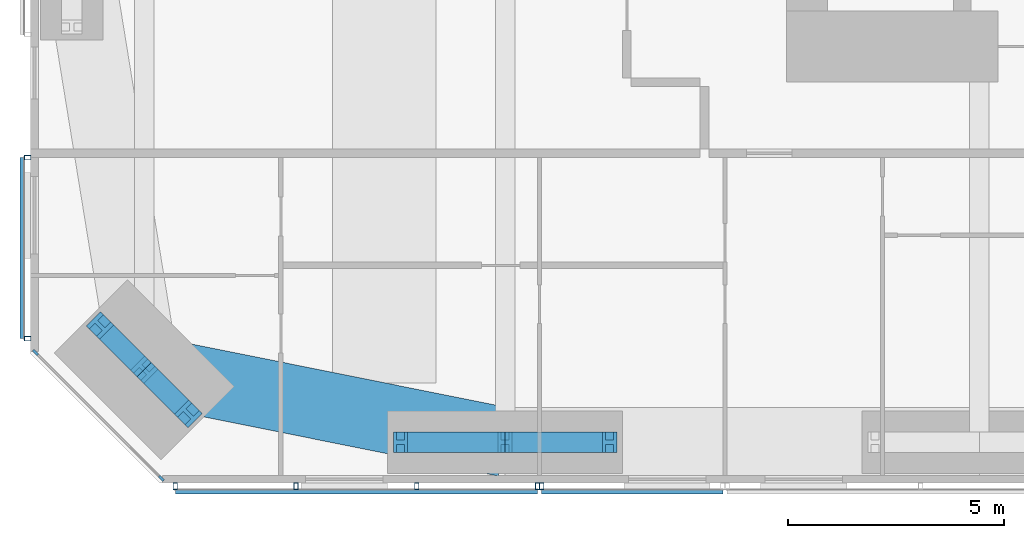
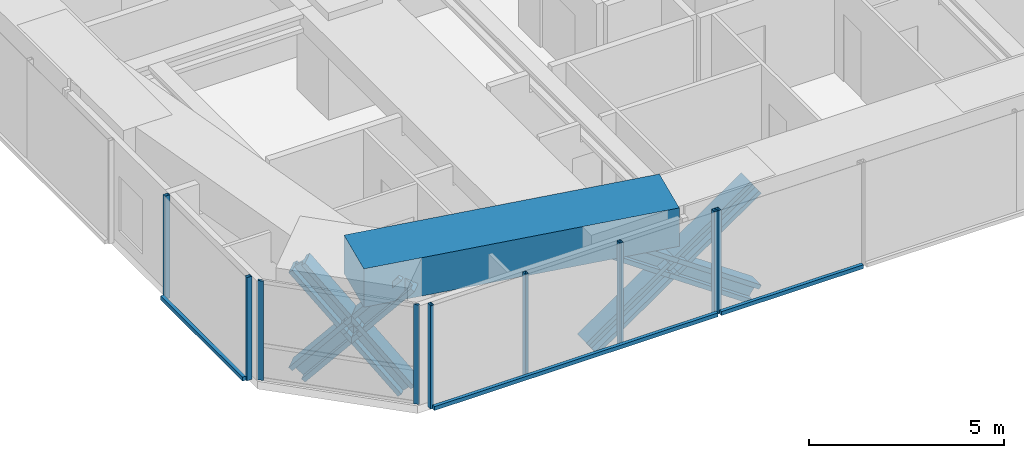
# One storey, part 2 of 24: 20 members, 1 beam, 4 elements without a shape of their own.
"""IFC4 building model written with IfcOpenShell, lengths in metres."""

from ifc_helpers import new_model, si_unit, direction, frame, origin, origin_2d, place, context, subcontext, project, spatial, rectangle, hollow_rectangle, i_section, extrude, material, material_profile, profile_set, type_object, element, aggregate, save


model = new_model("IFC4")

# Units and contexts
model_context = context("Model", 3, precision=1e-05, world=origin(), true_north=direction((0.0, 1.0)))
body_context = subcontext(model_context, "Body", "Model", "MODEL_VIEW")
ifc_project = project(units=[si_unit("LENGTHUNIT", "METRE"), si_unit("AREAUNIT", "SQUARE_METRE"), si_unit("VOLUMEUNIT", "CUBIC_METRE"), si_unit("PLANEANGLEUNIT", "RADIAN"), si_unit("MASSUNIT", "GRAM", prefix="KILO")], contexts=[model_context])

# Site, building, storey
site_placement = place(None, origin())
site = spatial("IfcSite", under=ifc_project, at=site_placement, CompositionType="ELEMENT")
building_placement = place(site_placement, origin())
building = spatial("IfcBuilding", under=site, at=building_placement, Name="Jalousie Tower", CompositionType="ELEMENT")
storey_placement = place(building_placement, frame((0.0, 0.0, 44.449951171875)))
storey = spatial("IfcBuildingStorey", under=building, at=storey_placement, Name="L11", CompositionType="ELEMENT", Elevation=44.449951171875)

# Curtain wall, members
ifc_material_1 = material(Name="Aluminium curtain wall", Category="aluminium")
curtain_wall_type_1 = type_object("IfcCurtainWallType", Name="CORNER WINDOW WALL", PredefinedType="USERDEFINED", material=ifc_material_1)
curtain_wall_1_placement = place(storey_placement, origin())
curtain_wall_1 = element("IfcCurtainWall", 1, at=curtain_wall_1_placement, inside=storey, type_object=curtain_wall_type_1, Name="Corner Window Wall L11 8", ObjectType="CORNER WINDOW WALL", PredefinedType="USERDEFINED")
ifc_material_2 = material(Name="Aluminium mullion", Category="aluminium")
ifc_material_profile_1 = material_profile(ifc_material_2, rectangle(XDim=0.06005859375, YDim=0.14990234375, at=origin_2d()), Name="MULLION 60x150")
ifc_profile_set_1 = profile_set([ifc_material_profile_1], Name="Aluminium mullion")
member_type_1 = type_object("IfcMemberType", Name="CORNER WINDOW WALL MULLION", PredefinedType="MULLION", material=ifc_profile_set_1)
member_1_placement = place(storey_placement, frame((2.108642578125, 3.030029296875, 0.0), z_axis=(0.0, 0.0, 1.0), x_axis=(0.707106781187, 0.707106781187, 0.0)))
member_1 = element("IfcMember", 2, at=member_1_placement, type_object=member_type_1, Name="CW-C mullion 1", PredefinedType="MULLION", context=body_context, shape_type="SweptSolid", body=[
    extrude(rectangle(XDim=0.06005859375, YDim=0.14990234375, at=origin_2d()), origin(), (0.0, 0.0, 1.0), 3.110107421875),
])
member_2_placement = place(storey_placement, frame((5.030029296875, 0.108642578125, 0.0), z_axis=(0.0, 0.0, 1.0), x_axis=(0.707106781187, 0.707106781187, 0.0)))
member_2 = element("IfcMember", 3, at=member_2_placement, type_object=member_type_1, Name="CW-C mullion 2", PredefinedType="MULLION", context=body_context, shape_type="SweptSolid", body=[
    extrude(rectangle(XDim=0.06005859375, YDim=0.14990234375, at=origin_2d()), origin(), (0.0, 0.0, 1.0), 3.110107421875),
])
aggregate(curtain_wall_1, [member_1, member_2])

# Members
ifc_material_3 = material(Name="Steel ASTM A992 Grade 50", Category="steel")
ifc_material_profile_2 = material_profile(ifc_material_3, i_section(OverallWidth=0.472412109375, OverallDepth=0.5791015625, WebThickness=0.094970703125, FlangeThickness=0.1298828125, at=origin_2d()), Name="W14X808")
ifc_profile_set_2 = profile_set([ifc_material_profile_2], Name="Steel ASTM A992 Grade 50")
member_type_2 = type_object("IfcMemberType", Name="PERIMETER BRACE W14X808", PredefinedType="BRACE", material=ifc_profile_set_2)
for number, where, z_axis, x_axis, name in (
    (4, (3.606201171875, 3.65673828125, -0.599853515625), (0.462768350628, -0.462878559809, 0.756034981021), (0.707190965575, 0.707022586774, 0.0), "Perimeter brace 01 L11 part 1"),
    (5, (4.63134765625, 2.63134765625, 1.074951171875), (0.462839993852, -0.462729793854, 0.756082189957), (0.707022586774, 0.707190965575, 0.0), "Perimeter brace 01 L11 part 2"),
    (6, (5.65673828125, 1.606201171875, -0.599853515625), (-0.462878559809, 0.462768350628, 0.756034981021), (-0.707022586774, -0.707190965575, 0.0), "Perimeter brace 01 L11 part 3"),
    (7, (4.63134765625, 2.63134765625, 1.074951171875), (-0.462729793854, 0.462839993852, 0.756082189957), (-0.707190965575, -0.707022586774, 0.0), "Perimeter brace 01 L11 part 4"),
):
    element("IfcMember", number, at=place(storey_placement, frame(where, z_axis=z_axis, x_axis=x_axis)), inside=storey, type_object=member_type_2, Name=name, PredefinedType="BRACE", context=body_context, shape_type="SweptSolid", body=[
        extrude(i_section(OverallWidth=0.472412109375, OverallDepth=0.5791015625, WebThickness=0.094970703125, FlangeThickness=0.1298828125, at=origin_2d()), origin(), (0.0, 0.0, 1.0), 2.21533203125),
    ])
for number, where, z_axis, x_axis, name in (
    (8, (10.574951171875, 0.949951171875, -0.599853515625), (0.82283879777, 0.0, 0.568274856811), (0.0, 1.0, 0.0), "Perimeter brace 02 L11 part 1"),
    (9, (13.0, 0.949951171875, 1.074951171875), (0.822800062329, 0.0, 0.568330940062), (0.0, 1.0, 0.0), "Perimeter brace 02 L11 part 2"),
    (10, (15.425048828125, 0.949951171875, -0.599853515625), (-0.82283879777, 0.0, 0.568274856811), (0.0, -1.0, 0.0), "Perimeter brace 02 L11 part 3"),
    (11, (13.0, 0.949951171875, 1.074951171875), (-0.822800062329, 0.0, 0.568330940062), (0.0, -1.0, 0.0), "Perimeter brace 02 L11 part 4"),
):
    element("IfcMember", number, at=place(storey_placement, frame(where, z_axis=z_axis, x_axis=x_axis)), inside=storey, type_object=member_type_2, Name=name, PredefinedType="BRACE", context=body_context, shape_type="SweptSolid", body=[
        extrude(i_section(OverallWidth=0.472412109375, OverallDepth=0.5791015625, WebThickness=0.094970703125, FlangeThickness=0.1298828125, at=origin_2d()), origin(), (0.0, 0.0, 1.0), 2.947265625),
    ])

# Beam
ifc_material_4 = material(Name="Concrete f'c 40 MPa", Category="concrete")
ifc_material_profile_3 = material_profile(ifc_material_4, rectangle(XDim=1.60009765625, YDim=1.199951171875, at=origin_2d()), Name="RC 1600x1200")
ifc_profile_set_3 = profile_set([ifc_material_profile_3], Name="Concrete f'c 40 MPa")
beam_type = type_object("IfcBeamType", Name="RC BEAM 1600x1200", PredefinedType="BEAM", material=ifc_profile_set_3)
beam_placement = place(storey_placement, frame((4.63134765625, 2.63134765625, 2.75), z_axis=(0.980407585444, -0.196979609107, 0.0), x_axis=(0.196979609107, 0.980407585444, 0.0)))
element("IfcBeam", 12, at=beam_placement, inside=storey, type_object=beam_type, Name="Edge band beam 01-02 under L12", PredefinedType="BEAM", context=body_context, shape_type="SweptSolid", body=[
    extrude(rectangle(XDim=1.60009765625, YDim=1.199951171875, at=origin_2d()), origin(), (0.0, 0.0, 1.0), 8.535888671875),
])

# Curtain wall, members
ifc_material_5 = material(Name="Perforated aluminium sheet", Category="aluminium")
curtain_wall_type_2 = type_object("IfcCurtainWallType", Name="SOLAR SCREEN SS-1", PredefinedType="USERDEFINED", material=ifc_material_5)
curtain_wall_2_placement = place(storey_placement, origin())
curtain_wall_2 = element("IfcCurtainWall", 13, at=curtain_wall_2_placement, inside=storey, type_object=curtain_wall_type_2, Name="Solar screen L11", ObjectType="SOLAR SCREEN SS-1", PredefinedType="USERDEFINED")
ifc_material_6 = material(Name="Steel ASTM A500 Grade C", Category="steel")
ifc_material_profile_4 = material_profile(ifc_material_6, hollow_rectangle(XDim=0.1015625, YDim=0.15234375, WallThickness=0.00634765625, at=origin_2d()), Name="HSS6X4X1/4")
ifc_profile_set_4 = profile_set([ifc_material_profile_4], Name="Steel ASTM A500 Grade C")
member_type_3 = type_object("IfcMemberType", Name="SOLAR SCREEN SS-1 MULLION", PredefinedType="MULLION", material=ifc_profile_set_4)
member_3_placement = place(storey_placement, frame((5.351318359375, -0.0712890625, -0.119873046875), z_axis=(0.0, 0.0, 1.0), x_axis=(1.0, 0.0, 0.0)))
member_3 = element("IfcMember", 14, at=member_3_placement, type_object=member_type_3, Name="SS1 post 1", PredefinedType="MULLION", context=body_context, shape_type="SweptSolid", body=[
    extrude(hollow_rectangle(XDim=0.1015625, YDim=0.15234375, WallThickness=0.00634765625, at=origin_2d()), origin(), (0.0, 0.0, 1.0), 3.22998046875),
])
member_4_placement = place(storey_placement, frame((8.15087890625, -0.0712890625, -0.119873046875), z_axis=(0.0, 0.0, 1.0), x_axis=(1.0, 0.0, 0.0)))
member_4 = element("IfcMember", 15, at=member_4_placement, type_object=member_type_3, Name="SS1 post 2", PredefinedType="MULLION", context=body_context, shape_type="SweptSolid", body=[
    extrude(hollow_rectangle(XDim=0.1015625, YDim=0.15234375, WallThickness=0.00634765625, at=origin_2d()), origin(), (0.0, 0.0, 1.0), 3.22998046875),
])
member_5_placement = place(storey_placement, frame((10.950439453125, -0.0712890625, -0.119873046875), z_axis=(0.0, 0.0, 1.0), x_axis=(1.0, 0.0, 0.0)))
member_5 = element("IfcMember", 16, at=member_5_placement, type_object=member_type_3, Name="SS1 post 3", PredefinedType="MULLION", context=body_context, shape_type="SweptSolid", body=[
    extrude(hollow_rectangle(XDim=0.1015625, YDim=0.15234375, WallThickness=0.00634765625, at=origin_2d()), origin(), (0.0, 0.0, 1.0), 3.22998046875),
])
member_6_placement = place(storey_placement, frame((13.75, -0.0712890625, -0.119873046875), z_axis=(0.0, 0.0, 1.0), x_axis=(1.0, 0.0, 0.0)))
member_6 = element("IfcMember", 17, at=member_6_placement, type_object=member_type_3, Name="SS1 post 4", PredefinedType="MULLION", context=body_context, shape_type="SweptSolid", body=[
    extrude(hollow_rectangle(XDim=0.1015625, YDim=0.15234375, WallThickness=0.00634765625, at=origin_2d()), origin(), (0.0, 0.0, 1.0), 3.22998046875),
])

# Curtain wall, member
curtain_wall_3_placement = place(storey_placement, origin())
curtain_wall_3 = element("IfcCurtainWall", 18, at=curtain_wall_3_placement, inside=storey, type_object=curtain_wall_type_2, Name="Solar screen L11", ObjectType="SOLAR SCREEN SS-1", PredefinedType="USERDEFINED")
member_7_placement = place(storey_placement, frame((13.85009765625, -0.0712890625, -0.119873046875), z_axis=(0.0, 0.0, 1.0), x_axis=(1.0, 0.0, 0.0)))
member_7 = element("IfcMember", 19, at=member_7_placement, type_object=member_type_3, Name="SS1 post 1", PredefinedType="MULLION", context=body_context, shape_type="SweptSolid", body=[
    extrude(hollow_rectangle(XDim=0.1015625, YDim=0.15234375, WallThickness=0.00634765625, at=origin_2d()), origin(), (0.0, 0.0, 1.0), 3.22998046875),
])

# Curtain wall, members
curtain_wall_4_placement = place(storey_placement, origin())
curtain_wall_4 = element("IfcCurtainWall", 20, at=curtain_wall_4_placement, inside=storey, type_object=curtain_wall_type_2, Name="Solar screen L11", ObjectType="SOLAR SCREEN SS-1", PredefinedType="USERDEFINED")
member_8_placement = place(storey_placement, frame((1.9287109375, 7.550048828125, -0.119873046875), z_axis=(0.0, 0.0, 1.0), x_axis=(0.0, -1.0, 0.0)))
member_8 = element("IfcMember", 21, at=member_8_placement, type_object=member_type_3, Name="SS1 post 1", PredefinedType="MULLION", context=body_context, shape_type="SweptSolid", body=[
    extrude(hollow_rectangle(XDim=0.1015625, YDim=0.15234375, WallThickness=0.00634765625, at=origin_2d()), origin(), (0.0, 0.0, 1.0), 3.22998046875),
])
member_9_placement = place(storey_placement, frame((1.9287109375, 3.351318359375, -0.119873046875), z_axis=(0.0, 0.0, 1.0), x_axis=(0.0, -1.0, 0.0)))
member_9 = element("IfcMember", 22, at=member_9_placement, type_object=member_type_3, Name="SS1 post 2", PredefinedType="MULLION", context=body_context, shape_type="SweptSolid", body=[
    extrude(hollow_rectangle(XDim=0.1015625, YDim=0.15234375, WallThickness=0.00634765625, at=origin_2d()), origin(), (0.0, 0.0, 1.0), 3.22998046875),
])

# Member
ifc_material_7 = material(Name="Extruded aluminium screen rail", Category="aluminium")
ifc_material_profile_5 = material_profile(ifc_material_7, rectangle(XDim=0.1015625, YDim=0.1201171875, at=origin_2d()), Name="RAIL 102x120")
ifc_profile_set_5 = profile_set([ifc_material_profile_5], Name="Extruded aluminium screen rail")
member_type_4 = type_object("IfcMemberType", Name="SOLAR SCREEN SS-1 TRANSOM", PredefinedType="USERDEFINED", material=ifc_profile_set_5)
member_10_placement = place(storey_placement, frame((5.351318359375, -0.1982421875, -0.06005859375), z_axis=(1.0, 0.0, 0.0), x_axis=(0.0, 1.0, 0.0)))
member_10 = element("IfcMember", 23, at=member_10_placement, type_object=member_type_4, Name="SS1 rail", ObjectType="TRANSOM", PredefinedType="USERDEFINED", context=body_context, shape_type="SweptSolid", body=[
    extrude(rectangle(XDim=0.1015625, YDim=0.1201171875, at=origin_2d()), origin(), (0.0, 0.0, 1.0), 8.398681640625),
])

aggregate(curtain_wall_2, [member_3, member_4, member_5, member_6, member_10])

member_11_placement = place(storey_placement, frame((13.85009765625, -0.1982421875, -0.06005859375), z_axis=(1.0, 0.0, 0.0), x_axis=(0.0, 1.0, 0.0)))
member_11 = element("IfcMember", 24, at=member_11_placement, type_object=member_type_4, Name="SS1 rail", ObjectType="TRANSOM", PredefinedType="USERDEFINED", context=body_context, shape_type="SweptSolid", body=[
    extrude(rectangle(XDim=0.1015625, YDim=0.1201171875, at=origin_2d()), origin(), (0.0, 0.0, 1.0), 4.199951171875),
])

aggregate(curtain_wall_3, [member_7, member_11])

member_12_placement = place(storey_placement, frame((1.8017578125, 7.550048828125, -0.06005859375), z_axis=(0.0, -1.0, 0.0), x_axis=(1.0, 0.0, 0.0)))
member_12 = element("IfcMember", 25, at=member_12_placement, type_object=member_type_4, Name="SS1 rail", ObjectType="TRANSOM", PredefinedType="USERDEFINED", context=body_context, shape_type="SweptSolid", body=[
    extrude(rectangle(XDim=0.1015625, YDim=0.1201171875, at=origin_2d()), origin(), (0.0, 0.0, 1.0), 4.19873046875),
])

aggregate(curtain_wall_4, [member_8, member_9, member_12])

save(model, "model.ifc")
